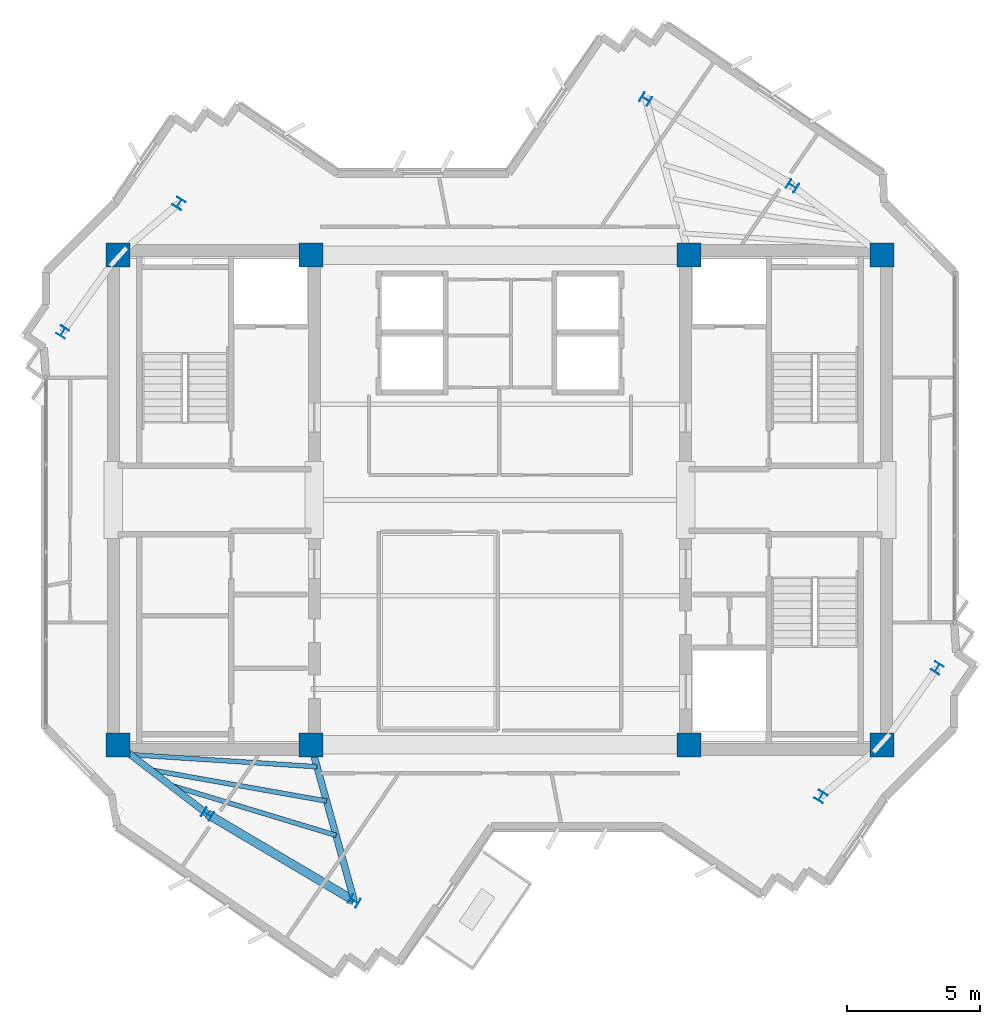
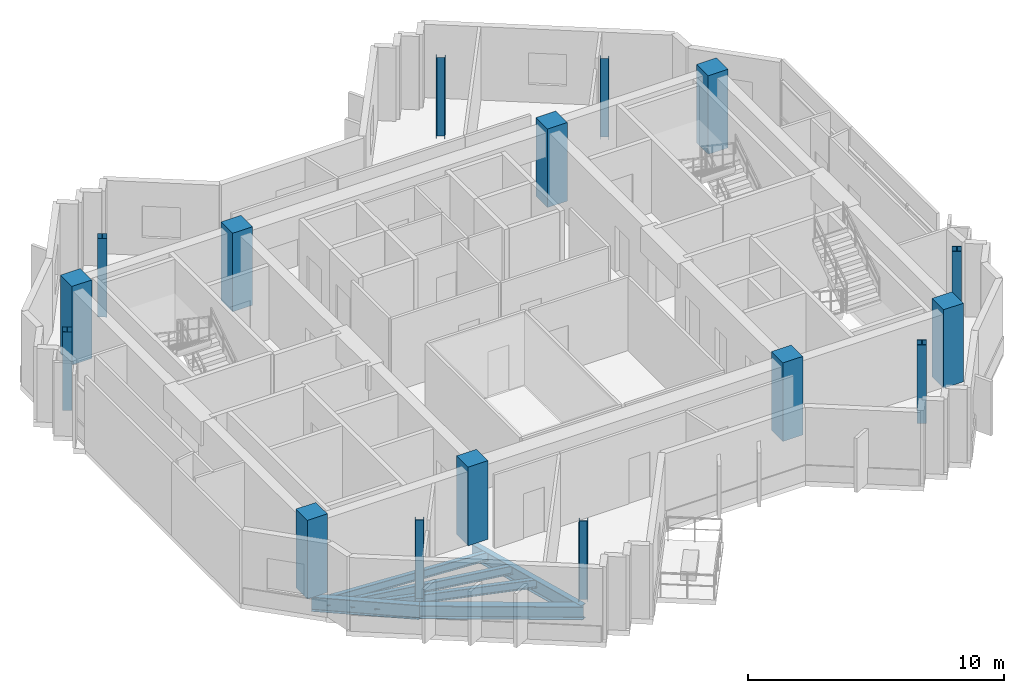
# One storey, part 1 of 11: 16 columns, 6 beams.
"""IFC4 building model written with IfcOpenShell, lengths in metres."""

from ifc_helpers import new_model, si_unit, direction, frame, origin, origin_2d, place, context, subcontext, project, spatial, rectangle, i_section, extrude, source, transform, mapped, material, material_profile, profile_set, type_object, element, save


model = new_model("IFC4")

# Units and contexts
model_context = context("Model", 3, precision=1e-05, world=origin(), true_north=direction((0.0, 1.0)))
body_context = subcontext(model_context, "Body", "Model", "MODEL_VIEW")
ifc_project = project(units=[si_unit("LENGTHUNIT", "METRE"), si_unit("AREAUNIT", "SQUARE_METRE"), si_unit("VOLUMEUNIT", "CUBIC_METRE"), si_unit("PLANEANGLEUNIT", "RADIAN"), si_unit("MASSUNIT", "GRAM", prefix="KILO")], contexts=[model_context])

# Site, building, storey
site_placement = place(None, origin())
site = spatial("IfcSite", under=ifc_project, at=site_placement, CompositionType="ELEMENT")
building_placement = place(site_placement, origin())
building = spatial("IfcBuilding", under=site, at=building_placement, Name="Zahravan Cultural Tower", CompositionType="ELEMENT")
storey_placement = place(building_placement, frame((0.0, 0.0, 331.050048828125)))
storey = spatial("IfcBuildingStorey", under=building, at=storey_placement, Name="L80", CompositionType="ELEMENT", Elevation=331.050048828125)

# Columns
ifc_material_1 = material(Name="Concrete C50/60", Category="concrete")
ifc_material_profile_1 = material_profile(ifc_material_1, rectangle(XDim=0.89990234375, YDim=0.89990234375, at=origin_2d()), Name="RC900X900")
ifc_profile_set_1 = profile_set([ifc_material_profile_1], Name="Concrete C50/60")
column_type_1 = type_object("IfcColumnType", Name="COL-RC900", PredefinedType="COLUMN", material=ifc_profile_set_1)
shared_shape_1 = source(origin(), body_context, "Body", "SweptSolid", [
    extrude(rectangle(XDim=0.89990234375, YDim=0.89990234375, at=origin_2d()), origin(), (0.0, 0.0, 1.0), 3.75),
])
for number, where, z_axis, x_axis, name in (
    (1, (21.64990234375, 17.800048828125, 0.0), (0.0, 0.0, 1.0), (1.0, 0.0, 0.0), "L80 Column CC-W1"),
    (2, (28.89990234375, 17.800048828125, 0.0), (0.0, 0.0, 1.0), (1.0, 0.0, 0.0), "L80 Column CC-W2"),
    (3, (21.64990234375, 36.199951171875, 0.0), (0.0, 0.0, 1.0), (1.0, 0.0, 0.0), "L80 Column CC-W3"),
    (4, (28.89990234375, 36.199951171875, 0.0), (0.0, 0.0, 1.0), (1.0, 0.0, 0.0), "L80 Column CC-W4"),
    (5, (43.10009765625, 17.800048828125, 0.0), (0.0, 0.0, 1.0), (1.0, 0.0, 0.0), "L80 Column CC-E1"),
    (6, (50.35009765625, 17.800048828125, 0.0), (0.0, 0.0, 1.0), (1.0, 0.0, 0.0), "L80 Column CC-E2"),
    (7, (43.10009765625, 36.199951171875, 0.0), (0.0, 0.0, 1.0), (1.0, 0.0, 0.0), "L80 Column CC-E3"),
    (8, (50.35009765625, 36.199951171875, 0.0), (0.0, 0.0, 1.0), (1.0, 0.0, 0.0), "L80 Column CC-E4"),
):
    element("IfcColumn", number, at=place(storey_placement, frame(where, z_axis=z_axis, x_axis=x_axis)), inside=storey, type_object=column_type_1, Name=name, PredefinedType="COLUMN", context=body_context, shape_type="MappedRepresentation", body=[
        mapped(shared_shape_1, transform((0.0, 0.0, 0.0), x_axis=(1.0, 0.0, 0.0), y_axis=(0.0, 1.0, 0.0), z_axis=(0.0, 0.0, 1.0), scale=1.0)),
    ])
ifc_material_2 = material(Name="Steel ASTM A992 Grade 50", Category="steel")
ifc_material_profile_2 = material_profile(ifc_material_2, i_section(OverallWidth=0.368896484375, OverallDepth=0.35595703125, WebThickness=0.01123046875, FlangeThickness=0.01806640625, FilletRadius=0.01806640625, at=origin_2d()), Name="W14X90")
ifc_profile_set_2 = profile_set([ifc_material_profile_2], Name="Steel ASTM A992 Grade 50")
column_type_2 = type_object("IfcColumnType", Name="COL-W14X90", PredefinedType="COLUMN", material=ifc_profile_set_2)
shared_shape_2 = source(origin(), body_context, "Body", "SweptSolid", [
    extrude(i_section(OverallWidth=0.368896484375, OverallDepth=0.35595703125, WebThickness=0.01123046875, FlangeThickness=0.01806640625, FilletRadius=0.01806640625, at=origin_2d()), origin(), (0.0, 0.0, 1.0), 3.75),
])
for number, where, z_axis, x_axis, name in (
    (9, (46.98388671875, 38.7998046875, 0.0), (0.0, 0.0, 1.0), (0.522498564716, 0.852640164354, 0.0), "L80 Column Z4C-E1"),
    (10, (41.474853515625, 42.058349609375, 0.0), (0.0, 0.0, 1.0), (0.522498564716, 0.852640164354, 0.0), "L80 Column Z4C-E2"),
    (11, (23.944580078125, 38.140625, 0.0), (0.0, 0.0, 1.0), (-0.852640164354, 0.522498564716, 0.0), "L80 Column Z4C-N1"),
    (12, (19.577392578125, 33.310791015625, 0.0), (0.0, 0.0, 1.0), (-0.852640164354, 0.522498564716, 0.0), "L80 Column Z4C-N2"),
    (13, (25.01611328125, 15.2001953125, 0.0), (0.0, 0.0, 1.0), (0.522498564716, 0.852640164354, 0.0), "L80 Column Z4C-W1"),
    (14, (30.525146484375, 11.941650390625, 0.0), (0.0, 0.0, 1.0), (0.522498564716, 0.852640164354, 0.0), "L80 Column Z4C-W2"),
    (15, (48.055419921875, 15.859375, 0.0), (0.0, 0.0, 1.0), (-0.852640164354, 0.522498564716, 0.0), "L80 Column Z4C-S1"),
    (16, (52.422607421875, 20.689208984375, 0.0), (0.0, 0.0, 1.0), (-0.852640164354, 0.522498564716, 0.0), "L80 Column Z4C-S2"),
):
    element("IfcColumn", number, at=place(storey_placement, frame(where, z_axis=z_axis, x_axis=x_axis)), inside=storey, type_object=column_type_2, Name=name, PredefinedType="COLUMN", context=body_context, shape_type="MappedRepresentation", body=[
        mapped(shared_shape_2, transform((0.0, 0.0, 0.0), x_axis=(1.0, 0.0, 0.0), y_axis=(0.0, 1.0, 0.0), z_axis=(0.0, 0.0, 1.0), scale=1.0)),
    ])

# Beams
ifc_material_profile_3 = material_profile(ifc_material_2, i_section(OverallWidth=0.326904296875, OverallDepth=0.6220703125, WebThickness=0.015380859375, FlangeThickness=0.0244140625, FilletRadius=0.014892578125, at=origin_2d()), Name="W24X131")
ifc_profile_set_3 = profile_set([ifc_material_profile_3], Name="Steel ASTM A992 Grade 50")
beam_type_1 = type_object("IfcBeamType", Name="BM-SP-W24X131", PredefinedType="SPANDREL", material=ifc_profile_set_3)
shared_shape_3 = source(origin(), body_context, "Body", "SweptSolid", [
    extrude(i_section(OverallWidth=0.326904296875, OverallDepth=0.6220703125, WebThickness=0.015380859375, FlangeThickness=0.0244140625, FilletRadius=0.014892578125, at=origin_2d()), origin(), (0.0, 0.0, 1.0), 6.400634765625),
])
beam_1_placement = place(storey_placement, frame((25.01611328125, 15.2001953125, -0.56103515625), z_axis=(0.860706991833, -0.509100652337, 0.0), x_axis=(0.509100652337, 0.860706991833, 0.0)))
element("IfcBeam", 17, at=beam_1_placement, inside=storey, type_object=beam_type_1, Name="L80 Beam SP-L80-15", PredefinedType="SPANDREL", context=body_context, shape_type="MappedRepresentation", body=[
    mapped(shared_shape_3, transform((0.0, 0.0, 0.0), x_axis=(1.0, 0.0, 0.0), y_axis=(0.0, 1.0, 0.0), z_axis=(0.0, 0.0, 1.0), scale=1.0)),
])
ifc_material_profile_4 = material_profile(ifc_material_2, i_section(OverallWidth=0.177978515625, OverallDepth=0.406005859375, WebThickness=0.0078125, FlangeThickness=0.0126953125, FilletRadius=0.011962890625, at=origin_2d()), Name="W16X40")
ifc_profile_set_4 = profile_set([ifc_material_profile_4], Name="Steel ASTM A992 Grade 50")
beam_type_2 = type_object("IfcBeamType", Name="BM-J-W16X40", PredefinedType="JOIST", material=ifc_profile_set_4)
shared_shape_4 = source(origin(), body_context, "Body", "SweptSolid", [
    extrude(i_section(OverallWidth=0.177978515625, OverallDepth=0.406005859375, WebThickness=0.0078125, FlangeThickness=0.0126953125, FilletRadius=0.011962890625, at=origin_2d()), origin(), (0.0, 0.0, 1.0), 7.02099609375),
])
beam_2_placement = place(storey_placement, frame((22.121337890625, 17.43603515625, -0.453125), z_axis=(0.99788584579, -0.064991066863, 0.0), x_axis=(0.064991066863, 0.99788584579, 0.0)))
element("IfcBeam", 18, at=beam_2_placement, inside=storey, type_object=beam_type_2, Name="L80 Beam BJ-L80-24", PredefinedType="JOIST", context=body_context, shape_type="MappedRepresentation", body=[
    mapped(shared_shape_4, transform((0.0, 0.0, 0.0), x_axis=(1.0, 0.0, 0.0), y_axis=(0.0, 1.0, 0.0), z_axis=(0.0, 0.0, 1.0), scale=1.0)),
])
shared_shape_5 = source(origin(), body_context, "Body", "SweptSolid", [
    extrude(i_section(OverallWidth=0.177978515625, OverallDepth=0.406005859375, WebThickness=0.0078125, FlangeThickness=0.0126953125, FilletRadius=0.011962890625, at=origin_2d()), origin(), (0.0, 0.0, 1.0), 6.726318359375),
])
beam_3_placement = place(storey_placement, frame((22.86181640625, 16.864013671875, -0.453125), z_axis=(0.98467447748, -0.17440233198, 0.0), x_axis=(0.17440233198, 0.98467447748, 0.0)))
element("IfcBeam", 19, at=beam_3_placement, inside=storey, type_object=beam_type_2, Name="L80 Beam BJ-L80-26", PredefinedType="JOIST", context=body_context, shape_type="MappedRepresentation", body=[
    mapped(shared_shape_5, transform((0.0, 0.0, 0.0), x_axis=(1.0, 0.0, 0.0), y_axis=(0.0, 1.0, 0.0), z_axis=(0.0, 0.0, 1.0), scale=1.0)),
])
shared_shape_6 = source(origin(), body_context, "Body", "SweptSolid", [
    extrude(i_section(OverallWidth=0.177978515625, OverallDepth=0.406005859375, WebThickness=0.0078125, FlangeThickness=0.0126953125, FilletRadius=0.011962890625, at=origin_2d()), origin(), (0.0, 0.0, 1.0), 6.520263671875),
])
beam_4_placement = place(storey_placement, frame((23.602294921875, 16.292236328125, -0.453125), z_axis=(0.957060297679, -0.289888921151, 0.0), x_axis=(0.289888921151, 0.957060297679, 0.0)))
element("IfcBeam", 20, at=beam_4_placement, inside=storey, type_object=beam_type_2, Name="L80 Beam BJ-L80-28", PredefinedType="JOIST", context=body_context, shape_type="MappedRepresentation", body=[
    mapped(shared_shape_6, transform((0.0, 0.0, 0.0), x_axis=(1.0, 0.0, 0.0), y_axis=(0.0, 1.0, 0.0), z_axis=(0.0, 0.0, 1.0), scale=1.0)),
])
ifc_material_profile_5 = material_profile(ifc_material_2, i_section(OverallWidth=0.25390625, OverallDepth=0.68798828125, WebThickness=0.01318359375, FlangeThickness=0.02099609375, FilletRadius=0.01806640625, at=origin_2d()), Name="W27X102")
ifc_profile_set_5 = profile_set([ifc_material_profile_5], Name="Steel ASTM A992 Grade 50")
beam_type_3 = type_object("IfcBeamType", Name="BM-G-W27X102", PredefinedType="BEAM", material=ifc_profile_set_5)
shared_shape_7 = source(origin(), body_context, "Body", "SweptSolid", [
    extrude(i_section(OverallWidth=0.25390625, OverallDepth=0.68798828125, WebThickness=0.01318359375, FlangeThickness=0.02099609375, FilletRadius=0.01806640625, at=origin_2d()), origin(), (0.0, 0.0, 1.0), 4.25341796875),
])
beam_5_placement = place(storey_placement, frame((21.64990234375, 17.800048828125, -0.593994140625), z_axis=(0.791433936253, -0.611254713313, 0.0), x_axis=(0.611254713313, 0.791433936253, 0.0)))
element("IfcBeam", 21, at=beam_5_placement, inside=storey, type_object=beam_type_3, Name="L80 Beam BG-L80-07", PredefinedType="BEAM", context=body_context, shape_type="MappedRepresentation", body=[
    mapped(shared_shape_7, transform((0.0, 0.0, 0.0), x_axis=(1.0, 0.0, 0.0), y_axis=(0.0, 1.0, 0.0), z_axis=(0.0, 0.0, 1.0), scale=1.0)),
])
shared_shape_8 = source(origin(), body_context, "Body", "SweptSolid", [
    extrude(i_section(OverallWidth=0.25390625, OverallDepth=0.68798828125, WebThickness=0.01318359375, FlangeThickness=0.02099609375, FilletRadius=0.01806640625, at=origin_2d()), origin(), (0.0, 0.0, 1.0), 6.07958984375),
])
beam_6_placement = place(storey_placement, frame((28.89990234375, 17.800048828125, -0.593994140625), z_axis=(0.267324894686, -0.963606455292, 0.0), x_axis=(0.963606455292, 0.267324894686, 0.0)))
element("IfcBeam", 22, at=beam_6_placement, inside=storey, type_object=beam_type_3, Name="L80 Beam BG-L80-08", PredefinedType="BEAM", context=body_context, shape_type="MappedRepresentation", body=[
    mapped(shared_shape_8, transform((0.0, 0.0, 0.0), x_axis=(1.0, 0.0, 0.0), y_axis=(0.0, 1.0, 0.0), z_axis=(0.0, 0.0, 1.0), scale=1.0)),
])

save(model, "model.ifc")
